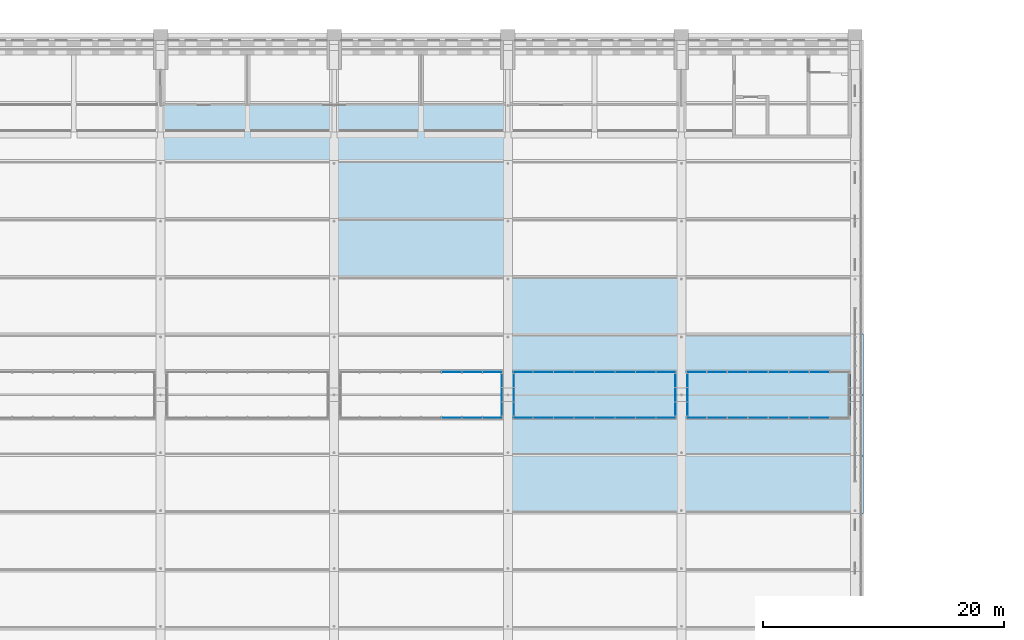
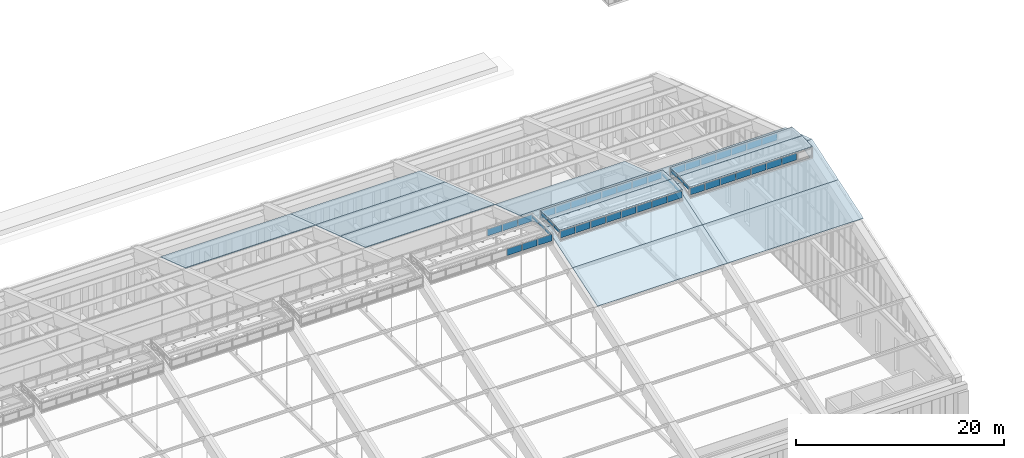
# One storey, part 114 of 149: 52 plates, 11 slabs, 10 elements without a shape of their own.
"""IFC4 building model written with IfcOpenShell, lengths in metres."""

from ifc_helpers import new_model, si_unit, direction, frame, origin, origin_2d, place, context, subcontext, project, spatial, polyline, rectangle, outline, extrude, material, layer, layer_set, type_object, element, aggregate, save


model = new_model("IFC4")

# Units and contexts
model_context = context("Model", 3, precision=1e-05, world=origin(), true_north=direction((0.0, 1.0)))
body_context = subcontext(model_context, "Body", "Model", "MODEL_VIEW")
ifc_project = project(units=[si_unit("LENGTHUNIT", "METRE"), si_unit("AREAUNIT", "SQUARE_METRE"), si_unit("VOLUMEUNIT", "CUBIC_METRE"), si_unit("PLANEANGLEUNIT", "RADIAN"), si_unit("MASSUNIT", "GRAM", prefix="KILO")], contexts=[model_context])

# Site, building, storey
site_placement = place(None, origin())
site = spatial("IfcSite", under=ifc_project, at=site_placement, CompositionType="ELEMENT")
building_placement = place(site_placement, origin())
building = spatial("IfcBuilding", under=site, at=building_placement, Name="Alderwick Market Hall", CompositionType="ELEMENT")
storey_placement = place(building_placement, frame((0.0, 0.0, 9.60009765625)))
storey = spatial("IfcBuildingStorey", under=building, at=storey_placement, Name="L01", CompositionType="ELEMENT", Elevation=9.60009765625)

# Curtain wall, plates
ifc_material_1 = material(Name="Aluminium", Category="aluminium")
curtain_wall_type = type_object("IfcCurtainWallType", Name="R Curtain Wall Frame", PredefinedType="NOTDEFINED", material=ifc_material_1)
curtain_wall_1_placement = place(storey_placement, origin())
curtain_wall_1 = element("IfcCurtainWall", 1, at=curtain_wall_1_placement, inside=storey, type_object=curtain_wall_type, Name="Curtain wall LCW S5", PredefinedType="NOTDEFINED")
ifc_material_2 = material(Name="Glass 8+8 mm PVB interlayer", Category="glass")
ifc_layer_1 = layer(ifc_material_2, 0.028076171875)
ifc_layer_set_1 = layer_set([ifc_layer_1], Name="Glass 8+8 mm PVB interlayer")
plate_type_1 = type_object("IfcPlateType", Name="R CW Panel IGU 28", PredefinedType="CURTAIN_PANEL", material=ifc_layer_set_1)
plate_1_placement = place(storey_placement, frame((117.75, 77.300048828125, 16.7900390625), z_axis=(0.0, 0.0, 1.0), x_axis=(1.0, 0.0, 0.0)))
plate_1 = element("IfcPlate", 2, at=plate_1_placement, type_object=plate_type_1, Name="LCW S5 panel 6.1", PredefinedType="CURTAIN_PANEL", context=body_context, shape_type="SweptSolid", body=[
    extrude(rectangle(XDim=1.639892578125, YDim=0.028076171875, at=origin_2d()), origin(), (0.0, 0.0, 1.0), 0.789794921875),
])
plate_2_placement = place(storey_placement, frame((119.449951171875, 77.300048828125, 16.7900390625), z_axis=(0.0, 0.0, 1.0), x_axis=(1.0, 0.0, 0.0)))
plate_2 = element("IfcPlate", 3, at=plate_2_placement, type_object=plate_type_1, Name="LCW S5 panel 7.1", PredefinedType="CURTAIN_PANEL", context=body_context, shape_type="SweptSolid", body=[
    extrude(rectangle(XDim=1.639892578125, YDim=0.028076171875, at=origin_2d()), origin(), (0.0, 0.0, 1.0), 0.789794921875),
])
plate_3_placement = place(storey_placement, frame((121.135009765625, 77.300048828125, 16.7900390625), z_axis=(0.0, 0.0, 1.0), x_axis=(1.0, 0.0, 0.0)))
plate_3 = element("IfcPlate", 4, at=plate_3_placement, type_object=plate_type_1, Name="LCW S5 panel 8.1", PredefinedType="CURTAIN_PANEL", context=body_context, shape_type="SweptSolid", body=[
    extrude(rectangle(XDim=1.610107421875, YDim=0.028076171875, at=origin_2d()), origin(), (0.0, 0.0, 1.0), 0.789794921875),
])
aggregate(curtain_wall_1, [plate_1, plate_2, plate_3])

curtain_wall_2_placement = place(storey_placement, origin())
curtain_wall_2 = element("IfcCurtainWall", 5, at=curtain_wall_2_placement, inside=storey, type_object=curtain_wall_type, Name="Curtain wall LCW N5", PredefinedType="NOTDEFINED")
plate_4_placement = place(storey_placement, frame((117.75, 81.10009765625, 16.7900390625), z_axis=(0.0, 0.0, 1.0), x_axis=(1.0, 0.0, 0.0)))
plate_4 = element("IfcPlate", 6, at=plate_4_placement, type_object=plate_type_1, Name="LCW N5 panel 6.1", PredefinedType="CURTAIN_PANEL", context=body_context, shape_type="SweptSolid", body=[
    extrude(rectangle(XDim=1.639892578125, YDim=0.028076171875, at=origin_2d()), origin(), (0.0, 0.0, 1.0), 0.789794921875),
])
plate_5_placement = place(storey_placement, frame((119.449951171875, 81.10009765625, 16.7900390625), z_axis=(0.0, 0.0, 1.0), x_axis=(1.0, 0.0, 0.0)))
plate_5 = element("IfcPlate", 7, at=plate_5_placement, type_object=plate_type_1, Name="LCW N5 panel 7.1", PredefinedType="CURTAIN_PANEL", context=body_context, shape_type="SweptSolid", body=[
    extrude(rectangle(XDim=1.639892578125, YDim=0.028076171875, at=origin_2d()), origin(), (0.0, 0.0, 1.0), 0.789794921875),
])
plate_6_placement = place(storey_placement, frame((121.135009765625, 81.10009765625, 16.7900390625), z_axis=(0.0, 0.0, 1.0), x_axis=(1.0, 0.0, 0.0)))
plate_6 = element("IfcPlate", 8, at=plate_6_placement, type_object=plate_type_1, Name="LCW N5 panel 8.1", PredefinedType="CURTAIN_PANEL", context=body_context, shape_type="SweptSolid", body=[
    extrude(rectangle(XDim=1.610107421875, YDim=0.028076171875, at=origin_2d()), origin(), (0.0, 0.0, 1.0), 0.789794921875),
])
aggregate(curtain_wall_2, [plate_4, plate_5, plate_6])

curtain_wall_3_placement = place(storey_placement, origin())
curtain_wall_3 = element("IfcCurtainWall", 9, at=curtain_wall_3_placement, inside=storey, type_object=curtain_wall_type, Name="Curtain wall LCW E5", PredefinedType="NOTDEFINED")
plate_7_placement = place(storey_placement, frame((121.89990234375, 78.014892578125, 17.21337890625), z_axis=(0.0, 0.0, 1.0), x_axis=(1.0, 0.0, 0.0)))
plate_7 = element("IfcPlate", 10, at=plate_7_placement, type_object=plate_type_1, Name="LCW E5 panel 1.1", PredefinedType="CURTAIN_PANEL", context=body_context, shape_type="SweptSolid", body=[
    extrude(rectangle(XDim=0.028076171875, YDim=1.110107421875, at=origin_2d()), origin(), (0.0, 0.0, 1.0), 0.366455078125),
])
plate_8_placement = place(storey_placement, frame((121.89990234375, 79.199951171875, 17.2333984375), z_axis=(0.0, 0.0, 1.0), x_axis=(1.0, 0.0, 0.0)))
plate_8 = element("IfcPlate", 11, at=plate_8_placement, type_object=plate_type_1, Name="LCW E5 panel 2.1", PredefinedType="CURTAIN_PANEL", context=body_context, shape_type="SweptSolid", body=[
    extrude(rectangle(XDim=0.028076171875, YDim=1.139892578125, at=origin_2d()), origin(), (0.0, 0.0, 1.0), 0.346435546875),
])
plate_9_placement = place(storey_placement, frame((121.89990234375, 80.385009765625, 17.21337890625), z_axis=(0.0, 0.0, 1.0), x_axis=(1.0, 0.0, 0.0)))
plate_9 = element("IfcPlate", 12, at=plate_9_placement, type_object=plate_type_1, Name="LCW E5 panel 3.1", PredefinedType="CURTAIN_PANEL", context=body_context, shape_type="SweptSolid", body=[
    extrude(rectangle(XDim=0.028076171875, YDim=1.110107421875, at=origin_2d()), origin(), (0.0, 0.0, 1.0), 0.366455078125),
])
aggregate(curtain_wall_3, [plate_7, plate_8, plate_9])

curtain_wall_4_placement = place(storey_placement, origin())
curtain_wall_4 = element("IfcCurtainWall", 13, at=curtain_wall_4_placement, inside=storey, type_object=curtain_wall_type, Name="Curtain wall LCW S6", PredefinedType="NOTDEFINED")
plate_10_placement = place(storey_placement, frame((123.6650390625, 77.300048828125, 16.7900390625), z_axis=(0.0, 0.0, 1.0), x_axis=(1.0, 0.0, 0.0)))
plate_10 = element("IfcPlate", 14, at=plate_10_placement, type_object=plate_type_1, Name="LCW S6 panel 1.1", PredefinedType="CURTAIN_PANEL", context=body_context, shape_type="SweptSolid", body=[
    extrude(rectangle(XDim=1.610107421875, YDim=0.028076171875, at=origin_2d()), origin(), (0.0, 0.0, 1.0), 0.789794921875),
])
plate_11_placement = place(storey_placement, frame((125.35009765625, 77.300048828125, 16.7900390625), z_axis=(0.0, 0.0, 1.0), x_axis=(1.0, 0.0, 0.0)))
plate_11 = element("IfcPlate", 15, at=plate_11_placement, type_object=plate_type_1, Name="LCW S6 panel 2.1", PredefinedType="CURTAIN_PANEL", context=body_context, shape_type="SweptSolid", body=[
    extrude(rectangle(XDim=1.639892578125, YDim=0.028076171875, at=origin_2d()), origin(), (0.0, 0.0, 1.0), 0.789794921875),
])
plate_12_placement = place(storey_placement, frame((127.050048828125, 77.300048828125, 16.7900390625), z_axis=(0.0, 0.0, 1.0), x_axis=(1.0, 0.0, 0.0)))
plate_12 = element("IfcPlate", 16, at=plate_12_placement, type_object=plate_type_1, Name="LCW S6 panel 3.1", PredefinedType="CURTAIN_PANEL", context=body_context, shape_type="SweptSolid", body=[
    extrude(rectangle(XDim=1.639892578125, YDim=0.028076171875, at=origin_2d()), origin(), (0.0, 0.0, 1.0), 0.789794921875),
])
plate_13_placement = place(storey_placement, frame((128.75, 77.300048828125, 16.7900390625), z_axis=(0.0, 0.0, 1.0), x_axis=(1.0, 0.0, 0.0)))
plate_13 = element("IfcPlate", 17, at=plate_13_placement, type_object=plate_type_1, Name="LCW S6 panel 4.1", PredefinedType="CURTAIN_PANEL", context=body_context, shape_type="SweptSolid", body=[
    extrude(rectangle(XDim=1.639892578125, YDim=0.028076171875, at=origin_2d()), origin(), (0.0, 0.0, 1.0), 0.789794921875),
])
plate_14_placement = place(storey_placement, frame((130.449951171875, 77.300048828125, 16.7900390625), z_axis=(0.0, 0.0, 1.0), x_axis=(1.0, 0.0, 0.0)))
plate_14 = element("IfcPlate", 18, at=plate_14_placement, type_object=plate_type_1, Name="LCW S6 panel 5.1", PredefinedType="CURTAIN_PANEL", context=body_context, shape_type="SweptSolid", body=[
    extrude(rectangle(XDim=1.639892578125, YDim=0.028076171875, at=origin_2d()), origin(), (0.0, 0.0, 1.0), 0.789794921875),
])
plate_15_placement = place(storey_placement, frame((132.14990234375, 77.300048828125, 16.7900390625), z_axis=(0.0, 0.0, 1.0), x_axis=(1.0, 0.0, 0.0)))
plate_15 = element("IfcPlate", 19, at=plate_15_placement, type_object=plate_type_1, Name="LCW S6 panel 6.1", PredefinedType="CURTAIN_PANEL", context=body_context, shape_type="SweptSolid", body=[
    extrude(rectangle(XDim=1.639892578125, YDim=0.028076171875, at=origin_2d()), origin(), (0.0, 0.0, 1.0), 0.789794921875),
])
plate_16_placement = place(storey_placement, frame((133.85009765625, 77.300048828125, 16.7900390625), z_axis=(0.0, 0.0, 1.0), x_axis=(1.0, 0.0, 0.0)))
plate_16 = element("IfcPlate", 20, at=plate_16_placement, type_object=plate_type_1, Name="LCW S6 panel 7.1", PredefinedType="CURTAIN_PANEL", context=body_context, shape_type="SweptSolid", body=[
    extrude(rectangle(XDim=1.639892578125, YDim=0.028076171875, at=origin_2d()), origin(), (0.0, 0.0, 1.0), 0.789794921875),
])
plate_17_placement = place(storey_placement, frame((135.534912109375, 77.300048828125, 16.7900390625), z_axis=(0.0, 0.0, 1.0), x_axis=(1.0, 0.0, 0.0)))
plate_17 = element("IfcPlate", 21, at=plate_17_placement, type_object=plate_type_1, Name="LCW S6 panel 8.1", PredefinedType="CURTAIN_PANEL", context=body_context, shape_type="SweptSolid", body=[
    extrude(rectangle(XDim=1.610107421875, YDim=0.028076171875, at=origin_2d()), origin(), (0.0, 0.0, 1.0), 0.789794921875),
])

curtain_wall_5_placement = place(storey_placement, origin())
curtain_wall_5 = element("IfcCurtainWall", 22, at=curtain_wall_5_placement, inside=storey, type_object=curtain_wall_type, Name="Curtain wall LCW N6", PredefinedType="NOTDEFINED")
plate_18_placement = place(storey_placement, frame((123.6650390625, 81.10009765625, 16.7900390625), z_axis=(0.0, 0.0, 1.0), x_axis=(1.0, 0.0, 0.0)))
plate_18 = element("IfcPlate", 23, at=plate_18_placement, type_object=plate_type_1, Name="LCW N6 panel 1.1", PredefinedType="CURTAIN_PANEL", context=body_context, shape_type="SweptSolid", body=[
    extrude(rectangle(XDim=1.610107421875, YDim=0.028076171875, at=origin_2d()), origin(), (0.0, 0.0, 1.0), 0.789794921875),
])
plate_19_placement = place(storey_placement, frame((125.35009765625, 81.10009765625, 16.7900390625), z_axis=(0.0, 0.0, 1.0), x_axis=(1.0, 0.0, 0.0)))
plate_19 = element("IfcPlate", 24, at=plate_19_placement, type_object=plate_type_1, Name="LCW N6 panel 2.1", PredefinedType="CURTAIN_PANEL", context=body_context, shape_type="SweptSolid", body=[
    extrude(rectangle(XDim=1.639892578125, YDim=0.028076171875, at=origin_2d()), origin(), (0.0, 0.0, 1.0), 0.789794921875),
])
plate_20_placement = place(storey_placement, frame((127.050048828125, 81.10009765625, 16.7900390625), z_axis=(0.0, 0.0, 1.0), x_axis=(1.0, 0.0, 0.0)))
plate_20 = element("IfcPlate", 25, at=plate_20_placement, type_object=plate_type_1, Name="LCW N6 panel 3.1", PredefinedType="CURTAIN_PANEL", context=body_context, shape_type="SweptSolid", body=[
    extrude(rectangle(XDim=1.639892578125, YDim=0.028076171875, at=origin_2d()), origin(), (0.0, 0.0, 1.0), 0.789794921875),
])
plate_21_placement = place(storey_placement, frame((128.75, 81.10009765625, 16.7900390625), z_axis=(0.0, 0.0, 1.0), x_axis=(1.0, 0.0, 0.0)))
plate_21 = element("IfcPlate", 26, at=plate_21_placement, type_object=plate_type_1, Name="LCW N6 panel 4.1", PredefinedType="CURTAIN_PANEL", context=body_context, shape_type="SweptSolid", body=[
    extrude(rectangle(XDim=1.639892578125, YDim=0.028076171875, at=origin_2d()), origin(), (0.0, 0.0, 1.0), 0.789794921875),
])
plate_22_placement = place(storey_placement, frame((130.449951171875, 81.10009765625, 16.7900390625), z_axis=(0.0, 0.0, 1.0), x_axis=(1.0, 0.0, 0.0)))
plate_22 = element("IfcPlate", 27, at=plate_22_placement, type_object=plate_type_1, Name="LCW N6 panel 5.1", PredefinedType="CURTAIN_PANEL", context=body_context, shape_type="SweptSolid", body=[
    extrude(rectangle(XDim=1.639892578125, YDim=0.028076171875, at=origin_2d()), origin(), (0.0, 0.0, 1.0), 0.789794921875),
])
plate_23_placement = place(storey_placement, frame((132.14990234375, 81.10009765625, 16.7900390625), z_axis=(0.0, 0.0, 1.0), x_axis=(1.0, 0.0, 0.0)))
plate_23 = element("IfcPlate", 28, at=plate_23_placement, type_object=plate_type_1, Name="LCW N6 panel 6.1", PredefinedType="CURTAIN_PANEL", context=body_context, shape_type="SweptSolid", body=[
    extrude(rectangle(XDim=1.639892578125, YDim=0.028076171875, at=origin_2d()), origin(), (0.0, 0.0, 1.0), 0.789794921875),
])
plate_24_placement = place(storey_placement, frame((133.85009765625, 81.10009765625, 16.7900390625), z_axis=(0.0, 0.0, 1.0), x_axis=(1.0, 0.0, 0.0)))
plate_24 = element("IfcPlate", 29, at=plate_24_placement, type_object=plate_type_1, Name="LCW N6 panel 7.1", PredefinedType="CURTAIN_PANEL", context=body_context, shape_type="SweptSolid", body=[
    extrude(rectangle(XDim=1.639892578125, YDim=0.028076171875, at=origin_2d()), origin(), (0.0, 0.0, 1.0), 0.789794921875),
])
plate_25_placement = place(storey_placement, frame((135.534912109375, 81.10009765625, 16.7900390625), z_axis=(0.0, 0.0, 1.0), x_axis=(1.0, 0.0, 0.0)))
plate_25 = element("IfcPlate", 30, at=plate_25_placement, type_object=plate_type_1, Name="LCW N6 panel 8.1", PredefinedType="CURTAIN_PANEL", context=body_context, shape_type="SweptSolid", body=[
    extrude(rectangle(XDim=1.610107421875, YDim=0.028076171875, at=origin_2d()), origin(), (0.0, 0.0, 1.0), 0.789794921875),
])

curtain_wall_6_placement = place(storey_placement, origin())
curtain_wall_6 = element("IfcCurtainWall", 31, at=curtain_wall_6_placement, inside=storey, type_object=curtain_wall_type, Name="Curtain wall LCW W6", PredefinedType="NOTDEFINED")
plate_26_placement = place(storey_placement, frame((122.89990234375, 78.014892578125, 17.21337890625), z_axis=(0.0, 0.0, 1.0), x_axis=(1.0, 0.0, 0.0)))
plate_26 = element("IfcPlate", 32, at=plate_26_placement, type_object=plate_type_1, Name="LCW W6 panel 1.1", PredefinedType="CURTAIN_PANEL", context=body_context, shape_type="SweptSolid", body=[
    extrude(rectangle(XDim=0.028076171875, YDim=1.110107421875, at=origin_2d()), origin(), (0.0, 0.0, 1.0), 0.366455078125),
])
plate_27_placement = place(storey_placement, frame((122.89990234375, 79.199951171875, 17.2333984375), z_axis=(0.0, 0.0, 1.0), x_axis=(1.0, 0.0, 0.0)))
plate_27 = element("IfcPlate", 33, at=plate_27_placement, type_object=plate_type_1, Name="LCW W6 panel 2.1", PredefinedType="CURTAIN_PANEL", context=body_context, shape_type="SweptSolid", body=[
    extrude(rectangle(XDim=0.028076171875, YDim=1.139892578125, at=origin_2d()), origin(), (0.0, 0.0, 1.0), 0.346435546875),
])
plate_28_placement = place(storey_placement, frame((122.89990234375, 80.385009765625, 17.21337890625), z_axis=(0.0, 0.0, 1.0), x_axis=(1.0, 0.0, 0.0)))
plate_28 = element("IfcPlate", 34, at=plate_28_placement, type_object=plate_type_1, Name="LCW W6 panel 3.1", PredefinedType="CURTAIN_PANEL", context=body_context, shape_type="SweptSolid", body=[
    extrude(rectangle(XDim=0.028076171875, YDim=1.110107421875, at=origin_2d()), origin(), (0.0, 0.0, 1.0), 0.366455078125),
])
aggregate(curtain_wall_6, [plate_26, plate_27, plate_28])

curtain_wall_7_placement = place(storey_placement, origin())
curtain_wall_7 = element("IfcCurtainWall", 35, at=curtain_wall_7_placement, inside=storey, type_object=curtain_wall_type, Name="Curtain wall LCW E6", PredefinedType="NOTDEFINED")
plate_29_placement = place(storey_placement, frame((136.300048828125, 78.014892578125, 17.21337890625), z_axis=(0.0, 0.0, 1.0), x_axis=(1.0, 0.0, 0.0)))
plate_29 = element("IfcPlate", 36, at=plate_29_placement, type_object=plate_type_1, Name="LCW E6 panel 1.1", PredefinedType="CURTAIN_PANEL", context=body_context, shape_type="SweptSolid", body=[
    extrude(rectangle(XDim=0.028076171875, YDim=1.110107421875, at=origin_2d()), origin(), (0.0, 0.0, 1.0), 0.366455078125),
])
plate_30_placement = place(storey_placement, frame((136.300048828125, 79.199951171875, 17.2333984375), z_axis=(0.0, 0.0, 1.0), x_axis=(1.0, 0.0, 0.0)))
plate_30 = element("IfcPlate", 37, at=plate_30_placement, type_object=plate_type_1, Name="LCW E6 panel 2.1", PredefinedType="CURTAIN_PANEL", context=body_context, shape_type="SweptSolid", body=[
    extrude(rectangle(XDim=0.028076171875, YDim=1.139892578125, at=origin_2d()), origin(), (0.0, 0.0, 1.0), 0.346435546875),
])
plate_31_placement = place(storey_placement, frame((136.300048828125, 80.385009765625, 17.21337890625), z_axis=(0.0, 0.0, 1.0), x_axis=(1.0, 0.0, 0.0)))
plate_31 = element("IfcPlate", 38, at=plate_31_placement, type_object=plate_type_1, Name="LCW E6 panel 3.1", PredefinedType="CURTAIN_PANEL", context=body_context, shape_type="SweptSolid", body=[
    extrude(rectangle(XDim=0.028076171875, YDim=1.110107421875, at=origin_2d()), origin(), (0.0, 0.0, 1.0), 0.366455078125),
])
aggregate(curtain_wall_7, [plate_29, plate_30, plate_31])

curtain_wall_8_placement = place(storey_placement, origin())
curtain_wall_8 = element("IfcCurtainWall", 39, at=curtain_wall_8_placement, inside=storey, type_object=curtain_wall_type, Name="Curtain wall LCW S7", PredefinedType="NOTDEFINED")
plate_32_placement = place(storey_placement, frame((138.06494140625, 77.300048828125, 16.7900390625), z_axis=(0.0, 0.0, 1.0), x_axis=(1.0, 0.0, 0.0)))
plate_32 = element("IfcPlate", 40, at=plate_32_placement, type_object=plate_type_1, Name="LCW S7 panel 1.1", PredefinedType="CURTAIN_PANEL", context=body_context, shape_type="SweptSolid", body=[
    extrude(rectangle(XDim=1.610107421875, YDim=0.028076171875, at=origin_2d()), origin(), (0.0, 0.0, 1.0), 0.789794921875),
])
plate_33_placement = place(storey_placement, frame((139.75, 77.300048828125, 16.7900390625), z_axis=(0.0, 0.0, 1.0), x_axis=(1.0, 0.0, 0.0)))
plate_33 = element("IfcPlate", 41, at=plate_33_placement, type_object=plate_type_1, Name="LCW S7 panel 2.1", PredefinedType="CURTAIN_PANEL", context=body_context, shape_type="SweptSolid", body=[
    extrude(rectangle(XDim=1.639892578125, YDim=0.028076171875, at=origin_2d()), origin(), (0.0, 0.0, 1.0), 0.789794921875),
])
plate_34_placement = place(storey_placement, frame((141.449951171875, 77.300048828125, 16.7900390625), z_axis=(0.0, 0.0, 1.0), x_axis=(1.0, 0.0, 0.0)))
plate_34 = element("IfcPlate", 42, at=plate_34_placement, type_object=plate_type_1, Name="LCW S7 panel 3.1", PredefinedType="CURTAIN_PANEL", context=body_context, shape_type="SweptSolid", body=[
    extrude(rectangle(XDim=1.639892578125, YDim=0.028076171875, at=origin_2d()), origin(), (0.0, 0.0, 1.0), 0.789794921875),
])
plate_35_placement = place(storey_placement, frame((143.14990234375, 77.300048828125, 16.7900390625), z_axis=(0.0, 0.0, 1.0), x_axis=(1.0, 0.0, 0.0)))
plate_35 = element("IfcPlate", 43, at=plate_35_placement, type_object=plate_type_1, Name="LCW S7 panel 4.1", PredefinedType="CURTAIN_PANEL", context=body_context, shape_type="SweptSolid", body=[
    extrude(rectangle(XDim=1.639892578125, YDim=0.028076171875, at=origin_2d()), origin(), (0.0, 0.0, 1.0), 0.789794921875),
])
plate_36_placement = place(storey_placement, frame((144.85009765625, 77.300048828125, 16.7900390625), z_axis=(0.0, 0.0, 1.0), x_axis=(1.0, 0.0, 0.0)))
plate_36 = element("IfcPlate", 44, at=plate_36_placement, type_object=plate_type_1, Name="LCW S7 panel 5.1", PredefinedType="CURTAIN_PANEL", context=body_context, shape_type="SweptSolid", body=[
    extrude(rectangle(XDim=1.639892578125, YDim=0.028076171875, at=origin_2d()), origin(), (0.0, 0.0, 1.0), 0.789794921875),
])
plate_37_placement = place(storey_placement, frame((146.550048828125, 77.300048828125, 16.7900390625), z_axis=(0.0, 0.0, 1.0), x_axis=(1.0, 0.0, 0.0)))
plate_37 = element("IfcPlate", 45, at=plate_37_placement, type_object=plate_type_1, Name="LCW S7 panel 6.1", PredefinedType="CURTAIN_PANEL", context=body_context, shape_type="SweptSolid", body=[
    extrude(rectangle(XDim=1.639892578125, YDim=0.028076171875, at=origin_2d()), origin(), (0.0, 0.0, 1.0), 0.789794921875),
])
plate_38_placement = place(storey_placement, frame((148.25, 77.300048828125, 16.7900390625), z_axis=(0.0, 0.0, 1.0), x_axis=(1.0, 0.0, 0.0)))
plate_38 = element("IfcPlate", 46, at=plate_38_placement, type_object=plate_type_1, Name="LCW S7 panel 7.1", PredefinedType="CURTAIN_PANEL", context=body_context, shape_type="SweptSolid", body=[
    extrude(rectangle(XDim=1.639892578125, YDim=0.028076171875, at=origin_2d()), origin(), (0.0, 0.0, 1.0), 0.789794921875),
])

curtain_wall_9_placement = place(storey_placement, origin())
curtain_wall_9 = element("IfcCurtainWall", 47, at=curtain_wall_9_placement, inside=storey, type_object=curtain_wall_type, Name="Curtain wall LCW N7", PredefinedType="NOTDEFINED")
plate_39_placement = place(storey_placement, frame((138.06494140625, 81.10009765625, 16.7900390625), z_axis=(0.0, 0.0, 1.0), x_axis=(1.0, 0.0, 0.0)))
plate_39 = element("IfcPlate", 48, at=plate_39_placement, type_object=plate_type_1, Name="LCW N7 panel 1.1", PredefinedType="CURTAIN_PANEL", context=body_context, shape_type="SweptSolid", body=[
    extrude(rectangle(XDim=1.610107421875, YDim=0.028076171875, at=origin_2d()), origin(), (0.0, 0.0, 1.0), 0.789794921875),
])
plate_40_placement = place(storey_placement, frame((139.75, 81.10009765625, 16.7900390625), z_axis=(0.0, 0.0, 1.0), x_axis=(1.0, 0.0, 0.0)))
plate_40 = element("IfcPlate", 49, at=plate_40_placement, type_object=plate_type_1, Name="LCW N7 panel 2.1", PredefinedType="CURTAIN_PANEL", context=body_context, shape_type="SweptSolid", body=[
    extrude(rectangle(XDim=1.639892578125, YDim=0.028076171875, at=origin_2d()), origin(), (0.0, 0.0, 1.0), 0.789794921875),
])
plate_41_placement = place(storey_placement, frame((141.449951171875, 81.10009765625, 16.7900390625), z_axis=(0.0, 0.0, 1.0), x_axis=(1.0, 0.0, 0.0)))
plate_41 = element("IfcPlate", 50, at=plate_41_placement, type_object=plate_type_1, Name="LCW N7 panel 3.1", PredefinedType="CURTAIN_PANEL", context=body_context, shape_type="SweptSolid", body=[
    extrude(rectangle(XDim=1.639892578125, YDim=0.028076171875, at=origin_2d()), origin(), (0.0, 0.0, 1.0), 0.789794921875),
])
plate_42_placement = place(storey_placement, frame((143.14990234375, 81.10009765625, 16.7900390625), z_axis=(0.0, 0.0, 1.0), x_axis=(1.0, 0.0, 0.0)))
plate_42 = element("IfcPlate", 51, at=plate_42_placement, type_object=plate_type_1, Name="LCW N7 panel 4.1", PredefinedType="CURTAIN_PANEL", context=body_context, shape_type="SweptSolid", body=[
    extrude(rectangle(XDim=1.639892578125, YDim=0.028076171875, at=origin_2d()), origin(), (0.0, 0.0, 1.0), 0.789794921875),
])
plate_43_placement = place(storey_placement, frame((144.85009765625, 81.10009765625, 16.7900390625), z_axis=(0.0, 0.0, 1.0), x_axis=(1.0, 0.0, 0.0)))
plate_43 = element("IfcPlate", 52, at=plate_43_placement, type_object=plate_type_1, Name="LCW N7 panel 5.1", PredefinedType="CURTAIN_PANEL", context=body_context, shape_type="SweptSolid", body=[
    extrude(rectangle(XDim=1.639892578125, YDim=0.028076171875, at=origin_2d()), origin(), (0.0, 0.0, 1.0), 0.789794921875),
])
plate_44_placement = place(storey_placement, frame((146.550048828125, 81.10009765625, 16.7900390625), z_axis=(0.0, 0.0, 1.0), x_axis=(1.0, 0.0, 0.0)))
plate_44 = element("IfcPlate", 53, at=plate_44_placement, type_object=plate_type_1, Name="LCW N7 panel 6.1", PredefinedType="CURTAIN_PANEL", context=body_context, shape_type="SweptSolid", body=[
    extrude(rectangle(XDim=1.639892578125, YDim=0.028076171875, at=origin_2d()), origin(), (0.0, 0.0, 1.0), 0.789794921875),
])
plate_45_placement = place(storey_placement, frame((148.25, 81.10009765625, 16.7900390625), z_axis=(0.0, 0.0, 1.0), x_axis=(1.0, 0.0, 0.0)))
plate_45 = element("IfcPlate", 54, at=plate_45_placement, type_object=plate_type_1, Name="LCW N7 panel 7.1", PredefinedType="CURTAIN_PANEL", context=body_context, shape_type="SweptSolid", body=[
    extrude(rectangle(XDim=1.639892578125, YDim=0.028076171875, at=origin_2d()), origin(), (0.0, 0.0, 1.0), 0.789794921875),
])

curtain_wall_10_placement = place(storey_placement, origin())
curtain_wall_10 = element("IfcCurtainWall", 55, at=curtain_wall_10_placement, inside=storey, type_object=curtain_wall_type, Name="Curtain wall LCW W7", PredefinedType="NOTDEFINED")
plate_46_placement = place(storey_placement, frame((137.300048828125, 78.014892578125, 17.21337890625), z_axis=(0.0, 0.0, 1.0), x_axis=(1.0, 0.0, 0.0)))
plate_46 = element("IfcPlate", 56, at=plate_46_placement, type_object=plate_type_1, Name="LCW W7 panel 1.1", PredefinedType="CURTAIN_PANEL", context=body_context, shape_type="SweptSolid", body=[
    extrude(rectangle(XDim=0.028076171875, YDim=1.110107421875, at=origin_2d()), origin(), (0.0, 0.0, 1.0), 0.366455078125),
])
plate_47_placement = place(storey_placement, frame((137.300048828125, 79.199951171875, 17.2333984375), z_axis=(0.0, 0.0, 1.0), x_axis=(1.0, 0.0, 0.0)))
plate_47 = element("IfcPlate", 57, at=plate_47_placement, type_object=plate_type_1, Name="LCW W7 panel 2.1", PredefinedType="CURTAIN_PANEL", context=body_context, shape_type="SweptSolid", body=[
    extrude(rectangle(XDim=0.028076171875, YDim=1.139892578125, at=origin_2d()), origin(), (0.0, 0.0, 1.0), 0.346435546875),
])
plate_48_placement = place(storey_placement, frame((137.300048828125, 80.385009765625, 17.21337890625), z_axis=(0.0, 0.0, 1.0), x_axis=(1.0, 0.0, 0.0)))
plate_48 = element("IfcPlate", 58, at=plate_48_placement, type_object=plate_type_1, Name="LCW W7 panel 3.1", PredefinedType="CURTAIN_PANEL", context=body_context, shape_type="SweptSolid", body=[
    extrude(rectangle(XDim=0.028076171875, YDim=1.110107421875, at=origin_2d()), origin(), (0.0, 0.0, 1.0), 0.366455078125),
])
aggregate(curtain_wall_10, [plate_46, plate_47, plate_48])

# Plate
ifc_layer_2 = layer(ifc_material_2, 0.030029296875)
ifc_layer_set_2 = layer_set([ifc_layer_2], Name="Glass 8+8 mm PVB interlayer")
plate_type_2 = type_object("IfcPlateType", Name="R Lantern Glazing 30 mm", PredefinedType="CURTAIN_PANEL", material=ifc_layer_set_2)
plate_49_placement = place(storey_placement, frame((122.800048828125, 77.2978515625, 17.729736328125), z_axis=(0.0, -0.073560127213, 0.997290783916), x_axis=(1.0, 0.0, 0.0)))
plate_49 = element("IfcPlate", 59, at=plate_49_placement, type_object=plate_type_2, Name="Lantern glazed roof S6", PredefinedType="CURTAIN_PANEL", context=body_context, shape_type="SweptSolid", body=[
    extrude(outline(polyline([(0.0, 0.0), (13.599853515625, 0.0), (13.599853515625, 1.905063572621334), (0.0, 1.905063572621334), (0.0, 0.0)])), origin(), (0.0, 0.0, -1.0), 0.030029296875),
])

aggregate(curtain_wall_4, [plate_10, plate_11, plate_12, plate_13, plate_14, plate_15, plate_16, plate_17, plate_49])

plate_50_placement = place(storey_placement, frame((122.800048828125, 81.102294921875, 17.729736328125), z_axis=(0.0, 0.07355072696, 0.997291477234), x_axis=(1.0, 0.0, 0.0)))
plate_50 = element("IfcPlate", 60, at=plate_50_placement, type_object=plate_type_2, Name="Lantern glazed roof N6", PredefinedType="CURTAIN_PANEL", context=body_context, shape_type="SweptSolid", body=[
    extrude(outline(polyline([(0.0, 0.0), (13.599853515625, 0.0), (13.599853515625, -1.905307051901265), (0.0, -1.905307051901265), (0.0, 0.0)])), origin(), (0.0, 0.0, -1.0), 0.030029296875),
])

aggregate(curtain_wall_5, [plate_18, plate_19, plate_20, plate_21, plate_22, plate_23, plate_24, plate_25, plate_50])

plate_51_placement = place(storey_placement, frame((137.199951171875, 77.2978515625, 17.729736328125), z_axis=(0.0, -0.073560127213, 0.997290783916), x_axis=(1.0, 0.0, 0.0)))
plate_51 = element("IfcPlate", 61, at=plate_51_placement, type_object=plate_type_2, Name="Lantern glazed roof S7", PredefinedType="CURTAIN_PANEL", context=body_context, shape_type="SweptSolid", body=[
    extrude(outline(polyline([(0.0, 0.0), (13.60009765625, 0.0), (13.60009765625, 1.905063572621334), (0.0, 1.905063572621334), (0.0, 0.0)])), origin(), (0.0, 0.0, -1.0), 0.030029296875),
])

aggregate(curtain_wall_8, [plate_32, plate_33, plate_34, plate_35, plate_36, plate_37, plate_38, plate_51])

plate_52_placement = place(storey_placement, frame((137.199951171875, 81.102294921875, 17.729736328125), z_axis=(0.0, 0.07355072696, 0.997291477234), x_axis=(1.0, 0.0, 0.0)))
plate_52 = element("IfcPlate", 62, at=plate_52_placement, type_object=plate_type_2, Name="Lantern glazed roof N7", PredefinedType="CURTAIN_PANEL", context=body_context, shape_type="SweptSolid", body=[
    extrude(outline(polyline([(0.0, 0.0), (13.60009765625, 0.0), (13.60009765625, -1.905307051901265), (0.0, -1.905307051901265), (0.0, 0.0)])), origin(), (0.0, 0.0, -1.0), 0.030029296875),
])

aggregate(curtain_wall_9, [plate_39, plate_40, plate_41, plate_42, plate_43, plate_44, plate_45, plate_52])

# Slabs
ifc_material_3 = material(Name="Steel ASTM A653 Grade 50 roof deck", Category="steel")
ifc_layer_3 = layer(ifc_material_3, 0.080078125)
ifc_layer_set_3 = layer_set([ifc_layer_3], Name="Steel ASTM A653 Grade 50 roof deck")
slab_type = type_object("IfcSlabType", Name="R Roof Deck 80 mm", PredefinedType="ROOF", material=ifc_layer_set_3)
for number, where, z_axis, x_axis, name in (
    (63, (93.60009765625, 98.662353515625, 10.58740234375), (0.0, 0.316242241517, 0.948678472761), (1.0, 0.0, 0.0), "Roof deck 4.11"),
    (64, (108.0, 89.0625, 13.787353515625), (0.0, 0.316242241517, 0.948678472761), (1.0, 0.0, 0.0), "Roof deck 5.9"),
):
    element("IfcSlab", number, at=place(storey_placement, frame(where, z_axis=z_axis, x_axis=x_axis)), inside=storey, type_object=slab_type, Name=name, PredefinedType="ROOF", context=body_context, shape_type="SweptSolid", body=[
        extrude(outline(polyline([(0.0, 0.0), (14.39990234375, 0.0), (14.39990234375, 5.059721460902856), (0.0, 5.059721460902856), (0.0, 0.0)])), origin(), (0.0, 0.0, -1.0), 0.080078125),
    ])
slab_1_placement = place(storey_placement, frame((108.0, 93.862548828125, 12.187255859375), z_axis=(0.0, 0.316213289559, 0.948688123414), x_axis=(1.0, 0.0, 0.0)))
element("IfcSlab", 65, at=slab_1_placement, inside=storey, type_object=slab_type, Name="Roof deck 5.10", PredefinedType="ROOF", context=body_context, shape_type="SweptSolid", body=[
    extrude(outline(polyline([(0.0, 0.0), (14.39990234375, 0.0), (14.39990234375, 5.059412644725141), (0.0, 5.059412644725141), (0.0, 0.0)])), origin(), (0.0, 0.0, -1.0), 0.080078125),
])
slab_2_placement = place(storey_placement, frame((108.0, 98.662353515625, 10.58740234375), z_axis=(0.0, 0.316242241517, 0.948678472761), x_axis=(1.0, 0.0, 0.0)))
element("IfcSlab", 66, at=slab_2_placement, inside=storey, type_object=slab_type, Name="Roof deck 5.11", PredefinedType="ROOF", context=body_context, shape_type="SweptSolid", body=[
    extrude(outline(polyline([(0.0, 0.0), (14.39990234375, 0.0), (14.39990234375, 5.059721460902856), (0.0, 5.059721460902856), (0.0, 0.0)])), origin(), (0.0, 0.0, -1.0), 0.080078125),
])
slab_3_placement = place(storey_placement, frame((122.39990234375, 69.337646484375, 13.787353515625), z_axis=(0.0, -0.316213289559, 0.948688123414), x_axis=(1.0, 0.0, 0.0)))
element("IfcSlab", 67, at=slab_3_placement, inside=storey, type_object=slab_type, Name="Roof deck 6.5", PredefinedType="ROOF", context=body_context, shape_type="SweptSolid", body=[
    extrude(outline(polyline([(0.0, 0.0), (14.400146484375, 0.0), (14.400146484375, 5.059412644725141), (0.0, 5.059412644725141), (0.0, 0.0)])), origin(), (0.0, 0.0, -1.0), 0.080078125),
])
slab_4_placement = place(storey_placement, frame((122.39990234375, 74.137451171875, 15.38720703125), z_axis=(0.0, -0.316227766017, 0.948683298051), x_axis=(1.0, 0.0, 0.0)))
element("IfcSlab", 68, at=slab_4_placement, inside=storey, type_object=slab_type, Name="Roof deck 6.6", PredefinedType="ROOF", context=body_context, shape_type="SweptSolid", body=[
    extrude(outline(polyline([(0.0, 0.0), (14.400146484375, 0.0), (14.400146484375, 5.336343551534141), (13.800048828125, 5.336343551534141), (13.800048828125, 3.4124187641465427), (0.60009765625, 3.4124187641465427), (0.60009765625, 5.336343551534141), (0.0, 5.336343551534141), (0.0, 0.0)])), origin(), (0.0, 0.0, -1.0), 0.080078125),
])
slab_5_placement = place(storey_placement, frame((122.39990234375, 79.199951171875, 17.07470703125), z_axis=(0.0, 0.316246558579, 0.948677033656), x_axis=(1.0, 0.0, 0.0)))
element("IfcSlab", 69, at=slab_5_placement, inside=storey, type_object=slab_type, Name="Roof deck 6.7", PredefinedType="ROOF", context=body_context, shape_type="SweptSolid", body=[
    extrude(outline(polyline([(0.0, 0.0), (0.60009765625, 0.0), (0.60009765625, 1.924156397614041), (13.800048828125, 1.924156397614041), (13.800048828125, 0.0), (14.400146484375, 0.0), (14.400146484375, 5.3363435504871415), (0.0, 5.3363435504871415), (0.0, 0.0)])), origin(), (0.0, 0.0, -1.0), 0.080078125),
])
slab_6_placement = place(storey_placement, frame((122.39990234375, 84.262451171875, 15.38720703125), z_axis=(0.0, 0.316198814353, 0.948692948114), x_axis=(1.0, 0.0, 0.0)))
element("IfcSlab", 70, at=slab_6_placement, inside=storey, type_object=slab_type, Name="Roof deck 6.8", PredefinedType="ROOF", context=body_context, shape_type="SweptSolid", body=[
    extrude(outline(polyline([(0.0, 0.0), (14.400146484375, 0.0), (14.400146484375, 5.059644258625487), (0.0, 5.059644258625487), (0.0, 0.0)])), origin(), (0.0, 0.0, -1.0), 0.080078125),
])
slab_7_placement = place(storey_placement, frame((136.800048828125, 69.337646484375, 13.787353515625), z_axis=(0.0, -0.316213289559, 0.948688123414), x_axis=(1.0, 0.0, 0.0)))
element("IfcSlab", 71, at=slab_7_placement, inside=storey, type_object=slab_type, Name="Roof deck 7.5", PredefinedType="ROOF", context=body_context, shape_type="SweptSolid", body=[
    extrude(outline(polyline([(0.0, 0.0), (15.099853515625, 0.0), (15.099853515625, 5.059412644725141), (0.0, 5.059412644725141), (0.0, 0.0)])), origin(), (0.0, 0.0, -1.0), 0.080078125),
])
slab_8_placement = place(storey_placement, frame((136.800048828125, 74.137451171875, 15.38720703125), z_axis=(0.0, -0.316227766017, 0.948683298051), x_axis=(1.0, 0.0, 0.0)))
element("IfcSlab", 72, at=slab_8_placement, inside=storey, type_object=slab_type, Name="Roof deck 7.6", PredefinedType="ROOF", context=body_context, shape_type="SweptSolid", body=[
    extrude(outline(polyline([(0.0, 0.0), (15.099853515625, 0.0), (15.099853515625, 5.33634355153414), (13.800048828125, 5.33634355153414), (13.800048828125, 3.412418764146542), (0.599853515625, 3.412418764146542), (0.599853515625, 5.33634355153414), (0.0, 5.33634355153414), (0.0, 0.0)])), origin(), (0.0, 0.0, -1.0), 0.080078125),
])
slab_9_placement = place(storey_placement, frame((136.800048828125, 79.199951171875, 17.07470703125), z_axis=(0.0, 0.316245287398, 0.94867745741), x_axis=(1.0, 0.0, 0.0)))
element("IfcSlab", 73, at=slab_9_placement, inside=storey, type_object=slab_type, Name="Roof deck 7.7", PredefinedType="ROOF", context=body_context, shape_type="SweptSolid", body=[
    extrude(outline(polyline([(0.0, 0.0), (0.599853515625, 0.0), (0.599853515625, 1.9241563977668366), (13.800048828125, 1.9241563977668366), (13.800048828125, 0.0), (15.099853515625, 0.0), (15.099853515625, 5.336343550623996), (0.0, 5.336343550623996), (0.0, 0.0)])), origin(), (0.0, 0.0, -1.0), 0.080078125),
])

save(model, "model.ifc")
